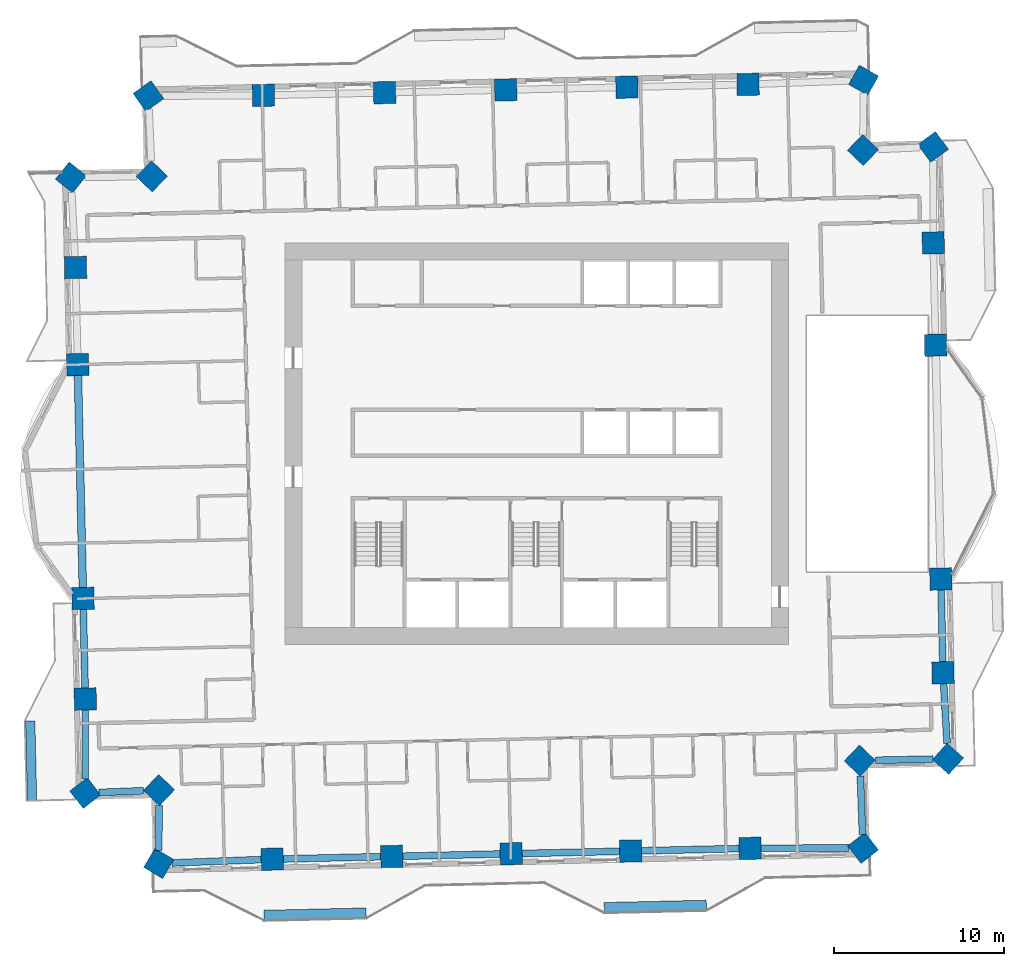
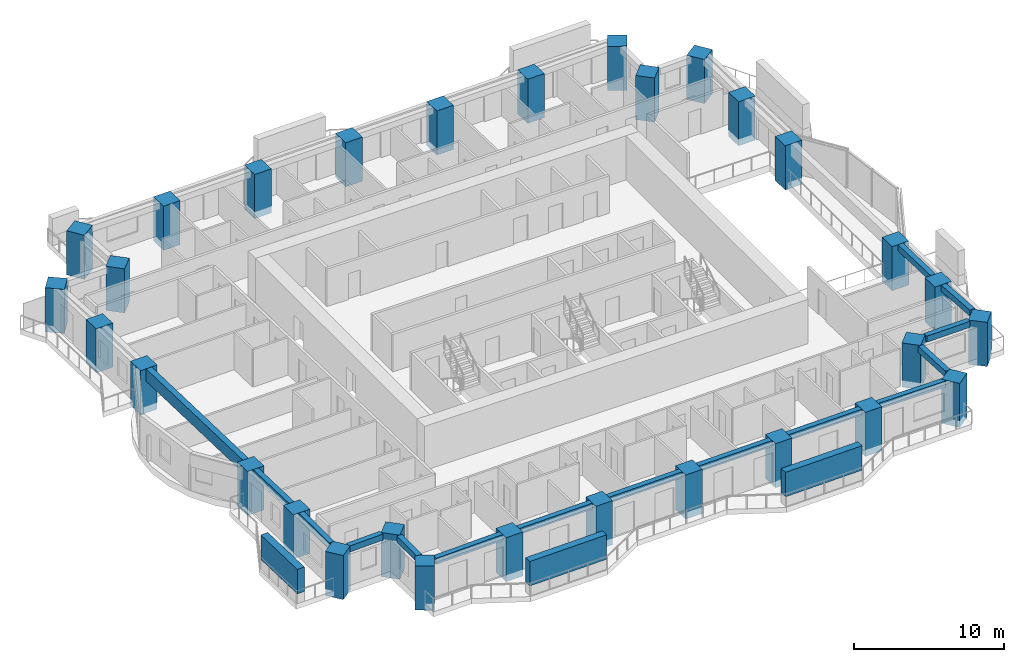
# One storey, part 1 of 16: 30 columns, 15 beams, 3 members.
"""IFC4 building model written with IfcOpenShell, lengths in metres."""

from ifc_helpers import new_model, si_unit, direction, frame, origin, origin_2d, place, context, subcontext, project, spatial, rectangle, extrude, material, material_profile, profile_set, type_object, element, save


model = new_model("IFC4")

# Units and contexts
model_context = context("Model", 3, precision=1e-05, world=origin(), true_north=direction((0.0, 1.0)))
body_context = subcontext(model_context, "Body", "Model", "MODEL_VIEW")
ifc_project = project(units=[si_unit("LENGTHUNIT", "METRE"), si_unit("AREAUNIT", "SQUARE_METRE"), si_unit("VOLUMEUNIT", "CUBIC_METRE"), si_unit("PLANEANGLEUNIT", "RADIAN"), si_unit("MASSUNIT", "GRAM", prefix="KILO")], contexts=[model_context])

# Site, building, storey
site_placement = place(None, origin())
site = spatial("IfcSite", under=ifc_project, at=site_placement, CompositionType="ELEMENT")
building_placement = place(site_placement, origin())
building = spatial("IfcBuilding", under=site, at=building_placement, Name="Mangrove Gate Tower", CompositionType="ELEMENT")
storey_placement = place(building_placement, frame((0.0, 0.0, 133.699951171875)))
storey = spatial("IfcBuildingStorey", under=building, at=storey_placement, Name="L33", CompositionType="ELEMENT", Elevation=133.699951171875)

# Columns
ifc_material_1 = material(Name="Concrete C70/85", Category="concrete")
ifc_material_profile_1 = material_profile(ifc_material_1, rectangle(XDim=1.300048828125, YDim=1.300048828125, at=origin_2d()))
ifc_profile_set_1 = profile_set([ifc_material_profile_1], Name="Concrete C70/85")
column_type = type_object("IfcColumnType", Name="Column RC 1300x1300 C70/85", PredefinedType="COLUMN", material=ifc_profile_set_1)
for number, where, z_axis, x_axis, name in (
    (1, (-26.6591796875, -9.09619140625, -0.550048828125), (0.0, 0.0, 1.0), (0.02268213383, -0.999742727308, 0.0), "Column L33 W05"),
    (2, (-26.525146484375, -15.00634765625, -0.550048828125), (0.0, 0.0, 1.0), (0.022665697055, -0.99974310009, 0.0), "Column L33 W06"),
    (3, (-26.528564453125, -20.5322265625, -0.550048828125), (0.0, 0.0, 1.0), (0.61506722308, -0.788474673717, 0.0), "Column L33 W07"),
    (4, (-22.19287109375, -20.362060546875, -0.550048828125), (0.0, 0.0, 1.0), (0.722994264183, -0.690854032309, 0.0), "Column L33 W08"),
    (5, (-22.20947265625, -24.67236328125, -0.550048828125), (0.0, 0.0, 1.0), (0.859255009234, -0.511547484704, 0.0), "Column L33 S01"),
    (6, (-15.53466796875, -24.422119140625, -0.550048828125), (0.0, 0.0, 1.0), (0.999742129581, 0.022708464065, 0.0), "Column L33 S02"),
    (7, (-8.5126953125, -24.26220703125, -0.550048828125), (0.0, 0.0, 1.0), (0.999742129581, 0.022708464065, 0.0), "Column L33 S03"),
    (8, (-1.49072265625, -24.103271484375, -0.550048828125), (0.0, 0.0, 1.0), (0.999743742918, 0.022637325283, 0.0), "Column L33 S04"),
    (9, (5.53125, -23.944091796875, -0.550048828125), (0.0, 0.0, 1.0), (0.999742166043, 0.022706858776, 0.0), "Column L33 S05"),
    (10, (12.55419921875, -23.7841796875, -0.550048828125), (0.0, 0.0, 1.0), (0.999742166043, 0.022706858776, 0.0), "Column L33 S06"),
    (11, (19.1923828125, -23.761474609375, -0.550048828125), (0.0, 0.0, 1.0), (0.790004884924, 0.613100547868, 0.0), "Column L33 S07"),
    (12, (19.0029296875, -18.626953125, -0.550048828125), (0.0, 0.0, 1.0), (0.690808805786, 0.723037477485, 0.0), "Column L33 E01"),
    (13, (24.188232421875, -18.522705078125, -0.550048828125), (0.0, 0.0, 1.0), (0.6695332885, 0.742782051204, 0.0), "Column L33 E02"),
    (14, (23.896240234375, -13.462646484375, -0.550048828125), (0.0, 0.0, 1.0), (-0.022678138054, 0.999742817956, 0.0), "Column L33 E03"),
    (15, (23.771240234375, -7.95166015625, -0.550048828125), (0.0, 0.0, 1.0), (-0.022684855843, 0.999742665547, 0.0), "Column L33 E04"),
    (16, (23.459228515625, 5.79638671875, -0.550048828125), (0.0, 0.0, 1.0), (-0.022668541211, 0.999743035604, 0.0), "Column L33 E05"),
    (17, (23.3232421875, 11.806396484375, -0.550048828125), (0.0, 0.0, 1.0), (-0.022621272366, 0.999744106277, 0.0), "Column L33 E06"),
    (18, (23.312744140625, 17.44775390625, -0.550048828125), (0.0, 0.0, 1.0), (-0.591062165958, 0.806626007498, 0.0), "Column L33 E07"),
    (19, (19.18896484375, 17.26708984375, -0.550048828125), (0.0, 0.0, 1.0), (-0.723000027728, 0.69084800058, 0.0), "Column L33 E08"),
    (20, (19.224609375, 21.36865234375, -0.550048828125), (0.0, 0.0, 1.0), (-0.872767754736, 0.488135684307, 0.0), "Column L33 N01"),
    (21, (12.434814453125, 21.124267578125, -0.550048828125), (0.0, 0.0, 1.0), (-0.999741400599, -0.022740534932, 0.0), "Column L33 N02"),
    (22, (5.312744140625, 20.962158203125, -0.550048828125), (0.0, 0.0, 1.0), (-0.999742993665, -0.022670390785, 0.0), "Column L33 N03"),
    (23, (-1.809326171875, 20.80126953125, -0.550048828125), (0.0, 0.0, 1.0), (-0.999742993665, -0.022670390785, 0.0), "Column L33 N04"),
    (24, (-8.93115234375, 20.63916015625, -0.550048828125), (0.0, 0.0, 1.0), (-0.999742993665, -0.022670390785, 0.0), "Column L33 N05"),
    (25, (-16.05322265625, 20.478271484375, -0.550048828125), (0.0, 0.0, 1.0), (-0.99974302967, -0.022668802943, 0.0), "Column L33 N06"),
    (26, (-22.815673828125, 20.435302734375, -0.550048828125), (0.0, 0.0, 1.0), (-0.816422336204, -0.577455252766, 0.0), "Column L33 N07"),
    (27, (-22.612060546875, 15.718017578125, -0.550048828125), (0.0, 0.0, 1.0), (-0.690868038859, -0.722980880026, 0.0), "Column L33 W01"),
    (28, (-27.3740234375, 15.6513671875, -0.550048828125), (0.0, 0.0, 1.0), (-0.625756852506, -0.780018180264, 0.0), "Column L33 W02"),
    (29, (-27.10107421875, 10.36181640625, -0.550048828125), (0.0, 0.0, 1.0), (0.022759187673, -0.999740976142, 0.0), "Column L33 W03"),
    (30, (-26.97119140625, 4.65185546875, -0.550048828125), (0.0, 0.0, 1.0), (0.022709737827, -0.999742100648, 0.0), "Column L33 W04"),
):
    element("IfcColumn", number, at=place(storey_placement, frame(where, z_axis=z_axis, x_axis=x_axis)), inside=storey, type_object=column_type, Name=name, PredefinedType="COLUMN", context=body_context, shape_type="SweptSolid", body=[
        extrude(rectangle(XDim=1.300048828125, YDim=1.300048828125, at=origin_2d()), origin(), (0.0, 0.0, 1.0), 3.60009765625),
    ])

# Members
ifc_material_2 = material(Name="Planting on aluminium trellis", Category="aluminium")
ifc_material_profile_2 = material_profile(ifc_material_2, rectangle(XDim=0.550048828125, YDim=2.0, at=origin_2d()))
ifc_profile_set_2 = profile_set([ifc_material_profile_2], Name="Planting on aluminium trellis")
member_type = type_object("IfcMemberType", Name="Balcony greenery screen 550x2000", PredefinedType="USERDEFINED", material=ifc_profile_set_2)
member_1_placement = place(storey_placement, frame((-29.655029296875, -20.991943359375, 1.800048828125), z_axis=(-0.022750903005, 0.999741164708, 0.0), x_axis=(-0.999741164708, -0.022750903005, 0.0)))
element("IfcMember", 31, at=member_1_placement, inside=storey, type_object=member_type, Name="GREEN SCREEN L33 W1.1", ObjectType="PLANTING", PredefinedType="USERDEFINED", context=body_context, shape_type="SweptSolid", body=[
    extrude(rectangle(XDim=0.550048828125, YDim=2.0, at=origin_2d()), origin(), (0.0, 0.0, 1.0), 4.7001953125),
])
member_2_placement = place(storey_placement, frame((-16.011962890625, -27.698974609375, 1.800048828125), z_axis=(0.999743094499, 0.022665943652, 0.0), x_axis=(-0.022665943652, 0.999743094499, 0.0)))
element("IfcMember", 32, at=member_2_placement, inside=storey, type_object=member_type, Name="GREEN SCREEN L33 S0.1", ObjectType="PLANTING", PredefinedType="USERDEFINED", context=body_context, shape_type="SweptSolid", body=[
    extrude(rectangle(XDim=0.550048828125, YDim=2.0, at=origin_2d()), origin(), (0.0, 0.0, 1.0), 5.99951171875),
])
member_3_placement = place(storey_placement, frame((3.98193359375, -27.2451171875, 1.800048828125), z_axis=(0.999742255469, 0.022702921152, 0.0), x_axis=(-0.022702921152, 0.999742255469, 0.0)))
element("IfcMember", 33, at=member_3_placement, inside=storey, type_object=member_type, Name="GREEN SCREEN L33 S1.1", ObjectType="PLANTING", PredefinedType="USERDEFINED", context=body_context, shape_type="SweptSolid", body=[
    extrude(rectangle(XDim=0.550048828125, YDim=2.0, at=origin_2d()), origin(), (0.0, 0.0, 1.0), 6.00048828125),
])

# Beams
ifc_material_3 = material(Name="Concrete C50/60", Category="concrete")
ifc_material_profile_3 = material_profile(ifc_material_3, rectangle(XDim=0.39990234375, YDim=0.5, at=origin_2d()))
ifc_profile_set_3 = profile_set([ifc_material_profile_3], Name="Concrete C50/60")
beam_type_1 = type_object("IfcBeamType", Name="Edge beam RC 400x500 C50/60", PredefinedType="BEAM", material=ifc_profile_set_3)
beam_1_placement = place(storey_placement, frame((-26.64453125, -9.74609375, 2.800048828125), z_axis=(0.022711784645, -0.999742054151, 0.0), x_axis=(0.999742054151, 0.022711784645, 0.0)))
element("IfcBeam", 34, at=beam_1_placement, inside=storey, type_object=beam_type_1, Name="Edge beam L33 00", PredefinedType="BEAM", context=body_context, shape_type="SweptSolid", body=[
    extrude(rectangle(XDim=0.39990234375, YDim=0.5, at=origin_2d()), origin(), (0.0, 0.0, 1.0), 4.611572265625),
])
beam_2_placement = place(storey_placement, frame((-26.525634765625, -15.656494140625, 2.800048828125), z_axis=(-0.000602663664, -0.999999818398, 0.0), x_axis=(0.999999818398, -0.000602663664, 0.0)))
element("IfcBeam", 35, at=beam_2_placement, inside=storey, type_object=beam_type_1, Name="Edge beam L33 01", PredefinedType="BEAM", context=body_context, shape_type="SweptSolid", body=[
    extrude(rectangle(XDim=0.39990234375, YDim=0.5, at=origin_2d()), origin(), (0.0, 0.0, 1.0), 4.051025390625),
])
beam_3_placement = place(storey_placement, frame((-25.728515625, -20.500732421875, 2.800048828125), z_axis=(0.999231025302, 0.039209158043, 0.0), x_axis=(-0.039209158043, 0.999231025302, 0.0)))
element("IfcBeam", 36, at=beam_3_placement, inside=storey, type_object=beam_type_1, Name="Edge beam L33 02", PredefinedType="BEAM", context=body_context, shape_type="SweptSolid", body=[
    extrude(rectangle(XDim=0.39990234375, YDim=0.5, at=origin_2d()), origin(), (0.0, 0.0, 1.0), 2.6337890625),
])
beam_4_placement = place(storey_placement, frame((-22.1962890625, -21.2578125, 2.800048828125), z_axis=(-0.003854950704, -0.99999256965, 0.0), x_axis=(0.99999256965, -0.003854950704, 0.0)))
element("IfcBeam", 37, at=beam_4_placement, inside=storey, type_object=beam_type_1, Name="Edge beam L33 03", PredefinedType="BEAM", context=body_context, shape_type="SweptSolid", body=[
    extrude(rectangle(XDim=0.39990234375, YDim=0.5, at=origin_2d()), origin(), (0.0, 0.0, 1.0), 2.659912109375),
])
beam_5_placement = place(storey_placement, frame((-21.435791015625, -24.6435546875, 2.800048828125), z_axis=(0.999296963169, 0.037491057614, 0.0), x_axis=(-0.037491057614, 0.999296963169, 0.0)))
element("IfcBeam", 38, at=beam_5_placement, inside=storey, type_object=beam_type_1, Name="Edge beam L33 04", PredefinedType="BEAM", context=body_context, shape_type="SweptSolid", body=[
    extrude(rectangle(XDim=0.39990234375, YDim=0.5, at=origin_2d()), origin(), (0.0, 0.0, 1.0), 5.255126953125),
])
for number, where, z_axis, x_axis, name in (
    (39, (-14.885009765625, -24.407470703125, 2.800048828125), (0.999739606731, 0.022819262324, 0.0), (-0.022819262324, 0.999739606731, 0.0), "Edge beam L33 05"),
    (40, (-7.863037109375, -24.24755859375, 2.800048828125), (0.999743484414, 0.022648738864, 0.0), (-0.022648738864, 0.999743484414, 0.0), "Edge beam L33 06"),
):
    element("IfcBeam", number, at=place(storey_placement, frame(where, z_axis=z_axis, x_axis=x_axis)), inside=storey, type_object=beam_type_1, Name=name, PredefinedType="BEAM", context=body_context, shape_type="SweptSolid", body=[
        extrude(rectangle(XDim=0.39990234375, YDim=0.5, at=origin_2d()), origin(), (0.0, 0.0, 1.0), 5.723876953125),
    ])
beam_6_placement = place(storey_placement, frame((-0.8408203125, -24.08837890625, 2.800048828125), z_axis=(0.999744427496, 0.022607071703, 0.0), x_axis=(-0.022607071703, 0.999744427496, 0.0)))
element("IfcBeam", 41, at=beam_6_placement, inside=storey, type_object=beam_type_1, Name="Edge beam L33 07", PredefinedType="BEAM", context=body_context, shape_type="SweptSolid", body=[
    extrude(rectangle(XDim=0.39990234375, YDim=0.5, at=origin_2d()), origin(), (0.0, 0.0, 1.0), 5.7236328125),
])
beam_7_placement = place(storey_placement, frame((6.18115234375, -23.929443359375, 2.800048828125), z_axis=(0.999740645245, 0.022773718307, 0.0), x_axis=(-0.022773718307, 0.999740645245, 0.0)))
element("IfcBeam", 42, at=beam_7_placement, inside=storey, type_object=beam_type_1, Name="Edge beam L33 08", PredefinedType="BEAM", context=body_context, shape_type="SweptSolid", body=[
    extrude(rectangle(XDim=0.39990234375, YDim=0.5, at=origin_2d()), origin(), (0.0, 0.0, 1.0), 5.724609375),
])
beam_8_placement = place(storey_placement, frame((13.204345703125, -23.781982421875, 2.800048828125), z_axis=(0.99999421433, 0.003401662262, 0.0), x_axis=(-0.003401662262, 0.99999421433, 0.0)))
element("IfcBeam", 43, at=beam_8_placement, inside=storey, type_object=beam_type_1, Name="Edge beam L33 09", PredefinedType="BEAM", context=body_context, shape_type="SweptSolid", body=[
    extrude(rectangle(XDim=0.39990234375, YDim=0.5, at=origin_2d()), origin(), (0.0, 0.0, 1.0), 5.16748046875),
])
beam_9_placement = place(storey_placement, frame((19.1630859375, -22.961669921875, 2.800048828125), z_axis=(-0.036930074428, 0.999317852139, 0.0), x_axis=(-0.999317852139, -0.036930074428, 0.0)))
element("IfcBeam", 44, at=beam_9_placement, inside=storey, type_object=beam_type_1, Name="Edge beam L33 10", PredefinedType="BEAM", context=body_context, shape_type="SweptSolid", body=[
    extrude(rectangle(XDim=0.39990234375, YDim=0.5, at=origin_2d()), origin(), (0.0, 0.0, 1.0), 3.43115234375),
])
beam_10_placement = place(storey_placement, frame((19.919677734375, -18.608642578125, 2.800048828125), z_axis=(0.999798119062, 0.020092812629, 0.0), x_axis=(-0.020092812629, 0.999798119062, 0.0)))
element("IfcBeam", 45, at=beam_10_placement, inside=storey, type_object=beam_type_1, Name="Edge beam L33 11", PredefinedType="BEAM", context=body_context, shape_type="SweptSolid", body=[
    extrude(rectangle(XDim=0.39990234375, YDim=0.5, at=origin_2d()), origin(), (0.0, 0.0, 1.0), 3.3779296875),
])
beam_11_placement = place(storey_placement, frame((24.135498046875, -17.6103515625, 2.800048828125), z_axis=(-0.0576192371, 0.998338631686, 0.0), x_axis=(-0.998338631686, -0.0576192371, 0.0)))
element("IfcBeam", 46, at=beam_11_placement, inside=storey, type_object=beam_type_1, Name="Edge beam L33 12", PredefinedType="BEAM", context=body_context, shape_type="SweptSolid", body=[
    extrude(rectangle(XDim=0.39990234375, YDim=0.5, at=origin_2d()), origin(), (0.0, 0.0, 1.0), 3.504150390625),
])
beam_12_placement = place(storey_placement, frame((23.88134765625, -12.81298828125, 2.800048828125), z_axis=(-0.022660846095, 0.999743210057, 0.0), x_axis=(-0.999743210057, -0.022660846095, 0.0)))
element("IfcBeam", 47, at=beam_12_placement, inside=storey, type_object=beam_type_1, Name="Edge beam L33 13", PredefinedType="BEAM", context=body_context, shape_type="SweptSolid", body=[
    extrude(rectangle(XDim=0.39990234375, YDim=0.5, at=origin_2d()), origin(), (0.0, 0.0, 1.0), 4.21240234375),
])
ifc_material_4 = material(Name="Concrete C50/60", Category="concrete")
ifc_material_profile_4 = material_profile(ifc_material_4, rectangle(XDim=0.449951171875, YDim=1.0, at=origin_2d()))
ifc_profile_set_4 = profile_set([ifc_material_profile_4], Name="Concrete C50/60")
beam_type_2 = type_object("IfcBeamType", Name="Edge beam RC 450x1000 C50/60", PredefinedType="BEAM", material=ifc_profile_set_4)
beam_13_placement = place(storey_placement, frame((-26.95654296875, 4.001953125, 2.550048828125), z_axis=(0.022704926143, -0.999742209937, 0.0), x_axis=(0.999742209937, 0.022704926143, 0.0)))
element("IfcBeam", 48, at=beam_13_placement, inside=storey, type_object=beam_type_2, Name="Edge beam L33 29", PredefinedType="BEAM", context=body_context, shape_type="SweptSolid", body=[
    extrude(rectangle(XDim=0.449951171875, YDim=1.0, at=origin_2d()), origin(), (0.0, 0.0, 1.0), 12.45166015625),
])

save(model, "model.ifc")
